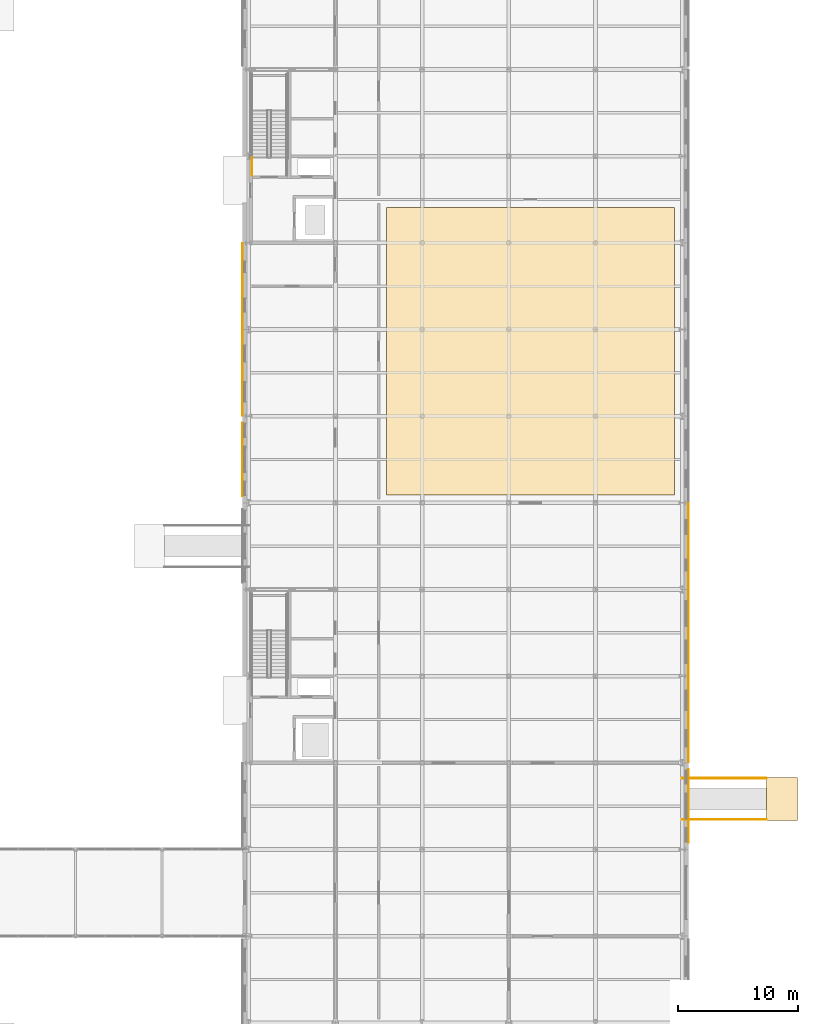
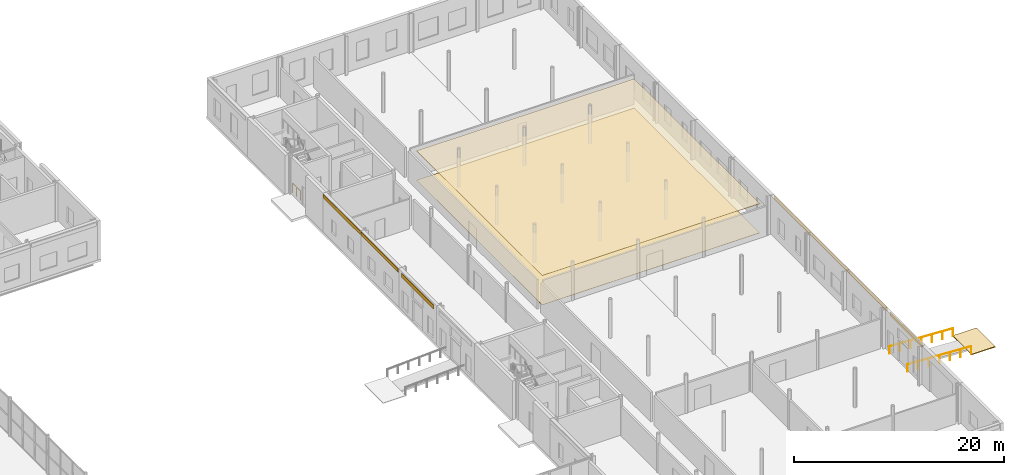
# One storey, part 87 of 92: 10 coverings, 3 railings.
"""IFC4 building model written with IfcOpenShell, lengths in metres."""

from ifc_helpers import new_model, si_unit, direction, frame, origin, origin_2d, place, context, subcontext, project, spatial, polyline, rectangle, circle, outline, extrude, material, layer, layer_set, type_object, element, save


model = new_model("IFC4")

# Units and contexts
model_context = context("Model", 3, precision=1e-05, world=origin(), true_north=direction((0.0, 1.0)))
body_context = subcontext(model_context, "Body", "Model", "MODEL_VIEW")
ifc_project = project(units=[si_unit("LENGTHUNIT", "METRE"), si_unit("AREAUNIT", "SQUARE_METRE"), si_unit("VOLUMEUNIT", "CUBIC_METRE"), si_unit("PLANEANGLEUNIT", "RADIAN"), si_unit("MASSUNIT", "GRAM", prefix="KILO")], contexts=[model_context])

# Site, building, storey
site_placement = place(None, origin())
site = spatial("IfcSite", under=ifc_project, at=site_placement, CompositionType="ELEMENT")
building_placement = place(site_placement, origin())
building = spatial("IfcBuilding", under=site, at=building_placement, Name="Zlatovets Crest Museum", CompositionType="ELEMENT")
storey_placement = place(building_placement, origin())
storey = spatial("IfcBuildingStorey", under=building, at=storey_placement, Name="L00", CompositionType="ELEMENT", Elevation=0.0)

# Coverings
ifc_material_1 = material(Name="Micro-perforated gypsum acoustic gallery ceiling")
ifc_layer_1 = layer(ifc_material_1, 0.050048828125)
ifc_layer_set_1 = layer_set([ifc_layer_1], Name="Micro-perforated gypsum acoustic gallery ceiling")
covering_type_1 = type_object("IfcCoveringType", Name="GalleryCeiling_CLG1", PredefinedType="CEILING", material=ifc_layer_set_1)
covering_1_placement = place(storey_placement, frame((0.0, 0.0, 3.389892578125)))
element("IfcCovering", 1, at=covering_1_placement, inside=storey, type_object=covering_type_1, Name="Visible Open-Storage Study Gallery Acoustic Ceiling", PredefinedType="CEILING", context=body_context, shape_type="SweptSolid", body=[
    extrude(outline(polyline([(141.050048828125, 58.25), (164.949951171875, 58.25), (164.949951171875, 82.14990234375), (141.050048828125, 82.14990234375), (141.050048828125, 58.25)])), origin(), (0.0, 0.0, 1.0), 0.050048828125),
])
ifc_material_2 = material(Name="Quarter-sawn European oak herringbone gallery parquet")
ifc_layer_2 = layer(ifc_material_2, 0.030029296875)
ifc_layer_set_2 = layer_set([ifc_layer_2], Name="Quarter-sawn European oak herringbone gallery parquet")
covering_type_2 = type_object("IfcCoveringType", Name="GalleryFloor_FLR1", PredefinedType="FLOORING", material=ifc_layer_set_2)
covering_2_placement = place(storey_placement, origin())
element("IfcCovering", 2, at=covering_2_placement, inside=storey, type_object=covering_type_2, Name="Visible Open-Storage Study Gallery Floor Finish", PredefinedType="FLOORING", context=body_context, shape_type="SweptSolid", body=[
    extrude(outline(polyline([(141.050048828125, 58.25), (164.949951171875, 58.25), (164.949951171875, 82.14990234375), (141.050048828125, 82.14990234375), (141.050048828125, 58.25)])), origin(), (0.0, 0.0, 1.0), 0.030029296875),
])
ifc_material_3 = material(Name="Polychrome turquoise-gold glazed majolica ceramic frieze")
ifc_layer_3 = layer(ifc_material_3, 0.0400390625)
ifc_layer_set_3 = layer_set([ifc_layer_3], Name="Polychrome turquoise-gold glazed majolica ceramic frieze")
covering_type_3 = type_object("IfcCoveringType", Name="MajolicaFrieze_CL01", PredefinedType="CLADDING", material=ifc_layer_set_3)
covering_3_placement = place(storey_placement, frame((166.1201171875, 32.39990234375, 3.81005859375), z_axis=(0.0, 0.0, 1.0), x_axis=(0.0, 1.0, 0.0)))
element("IfcCovering", 3, at=covering_3_placement, inside=storey, type_object=covering_type_3, Name="Art Nouveau Portal Secession Archivolt Crown", PredefinedType="CLADDING", context=body_context, shape_type="SweptSolid", body=[
    extrude(rectangle(XDim=6.10009765625, YDim=0.06005859375, at=origin_2d()), origin(), (0.0, 0.0, 1.0), 0.47998046875),
])
for number, where, z_axis, x_axis, name in (
    (4, (166.1298828125, 39.60009765625, 4.010009765625), (0.0, 0.0, 1.0), (0.0, 1.0, 0.0), "Sofia Secession Majolica Plinth Frieze"),
    (5, (166.1298828125, 46.800048828125, 4.010009765625), (0.0, 0.0, 1.0), (0.0, 1.0, 0.0), "Sofia Secession Majolica Plinth Frieze"),
    (6, (166.1298828125, 54.0, 4.010009765625), (0.0, 0.0, 1.0), (0.0, 1.0, 0.0), "Sofia Secession Majolica Plinth Frieze"),
    (7, (129.070068359375, 75.60009765625, 4.010009765625), (0.0, 0.0, 1.0), (0.0, 1.0, 0.0), "Sofia Secession Majolica Plinth Frieze"),
    (8, (129.070068359375, 68.39990234375, 4.010009765625), (0.0, 0.0, 1.0), (0.0, 1.0, 0.0), "Sofia Secession Majolica Plinth Frieze"),
):
    element("IfcCovering", number, at=place(storey_placement, frame(where, z_axis=z_axis, x_axis=x_axis)), inside=storey, type_object=covering_type_3, Name=name, PredefinedType="CLADDING", context=body_context, shape_type="SweptSolid", body=[
        extrude(rectangle(XDim=7.10009765625, YDim=0.0400390625, at=origin_2d()), origin(), (0.0, 0.0, 1.0), 0.419921875),
    ])
covering_4_placement = place(storey_placement, frame((129.080078125, 61.199951171875, 3.81005859375), z_axis=(0.0, 0.0, 1.0), x_axis=(0.0, 1.0, 0.0)))
element("IfcCovering", 9, at=covering_4_placement, inside=storey, type_object=covering_type_3, Name="Art Nouveau Portal Secession Archivolt Crown", PredefinedType="CLADDING", context=body_context, shape_type="SweptSolid", body=[
    extrude(rectangle(XDim=6.10009765625, YDim=0.06005859375, at=origin_2d()), origin(), (0.0, 0.0, 1.0), 0.47998046875),
])

# Railings
ifc_material_4 = material(Name="Brushed bronze tubular handrail")
railing_type_1 = type_object("IfcRailingType", Name="RampRail_HR02", PredefinedType="HANDRAIL", material=ifc_material_4)
for number, where, name in (
    (10, (172.60009765625, 31.280029296875, -0.35009765625), "East Courtyard Step-Free Pedestrian Ramp Handrail 1"),
    (11, (172.60009765625, 34.719970703125, -0.35009765625), "East Courtyard Step-Free Pedestrian Ramp Handrail 2"),
):
    element("IfcRailing", number, at=place(storey_placement, frame(where)), inside=storey, type_object=railing_type_1, Name=name, PredefinedType="HANDRAIL", context=body_context, shape_type="SweptSolid", body=[
        extrude(circle(Radius=0.02392578125, at=origin_2d()), frame((0.0, 0.0, 0.89599609375), z_axis=(-0.998751643845, 0.0, 0.049951515669), x_axis=(0.0, -1.0, 0.0)), (0.0, 0.0, 1.0), 7.0087890625),
        extrude(circle(Radius=0.02099609375, at=origin_2d()), origin(), (0.0, 0.0, 1.0), 0.871826171875),
        extrude(circle(Radius=0.02099609375, at=origin_2d()), frame((-1.166748046875, 0.0, 0.058349609375)), (0.0, 0.0, 1.0), 0.871826171875),
        extrude(circle(Radius=0.02099609375, at=origin_2d()), frame((-2.333251953125, 0.0, 0.11669921875)), (0.0, 0.0, 1.0), 0.871826171875),
        extrude(circle(Radius=0.02099609375, at=origin_2d()), frame((-3.5, 0.0, 0.175048828125)), (0.0, 0.0, 1.0), 0.871826171875),
        extrude(circle(Radius=0.02099609375, at=origin_2d()), frame((-4.666748046875, 0.0, 0.2333984375)), (0.0, 0.0, 1.0), 0.871826171875),
        extrude(circle(Radius=0.02099609375, at=origin_2d()), frame((-5.833251953125, 0.0, 0.291748046875)), (0.0, 0.0, 1.0), 0.871826171875),
        extrude(circle(Radius=0.02099609375, at=origin_2d()), frame((-7.0, 0.0, 0.35009765625)), (0.0, 0.0, 1.0), 0.871826171875),
    ])

# Covering
ifc_material_5 = material(Name="Bush-hammered Vratsa stone court paving", Category="masonry")
ifc_layer_4 = layer(ifc_material_5, 0.080078125)
ifc_layer_set_4 = layer_set([ifc_layer_4], Name="Bush-hammered Vratsa stone court paving")
covering_type_4 = type_object("IfcCoveringType", Name="SitePaving_PV01", PredefinedType="USERDEFINED", material=ifc_layer_set_4)
covering_5_placement = place(storey_placement, frame((0.0, 0.0, -0.429931640625)))
element("IfcCovering", 12, at=covering_5_placement, inside=storey, type_object=covering_type_4, Name="East Courtyard Step-Free Pedestrian Ramp Approach Paving", ObjectType="PAVING", PredefinedType="USERDEFINED", context=body_context, shape_type="SweptSolid", body=[
    extrude(outline(polyline([(175.199951171875, 31.199951171875), (175.199951171875, 34.800048828125), (172.60009765625, 34.800048828125), (172.60009765625, 31.199951171875), (175.199951171875, 31.199951171875)])), origin(), (0.0, 0.0, 1.0), 0.079833984375),
])

# Railing
ifc_material_6 = material(Name="Painted steel safety guardrail", Category="steel")
railing_type_2 = type_object("IfcRailingType", Name="StairGuard_SG01", PredefinedType="GUARDRAIL", material=ifc_material_6)
railing_placement = place(storey_placement, frame((129.85009765625, 84.800048828125, 0.0)))
element("IfcRailing", 13, at=railing_placement, inside=storey, type_object=railing_type_2, Name="L00 ST8 stair guard 8", PredefinedType="GUARDRAIL", context=body_context, shape_type="SweptSolid", body=[
    extrude(circle(Radius=0.02392578125, at=origin_2d()), frame((0.0, 0.0, 1.076171875), z_axis=(0.0, 1.0, 0.0), x_axis=(-1.0, 0.0, 0.0)), (0.0, 0.0, 1.0), 1.5),
    extrude(circle(Radius=0.02099609375, at=origin_2d()), origin(), (0.0, 0.0, 1.0), 1.052001953125),
    extrude(circle(Radius=0.02099609375, at=origin_2d()), frame((0.0, 0.75, 0.0)), (0.0, 0.0, 1.0), 1.052001953125),
    extrude(circle(Radius=0.02099609375, at=origin_2d()), frame((0.0, 1.5, 0.0)), (0.0, 0.0, 1.0), 1.052001953125),
])

save(model, "model.ifc")
